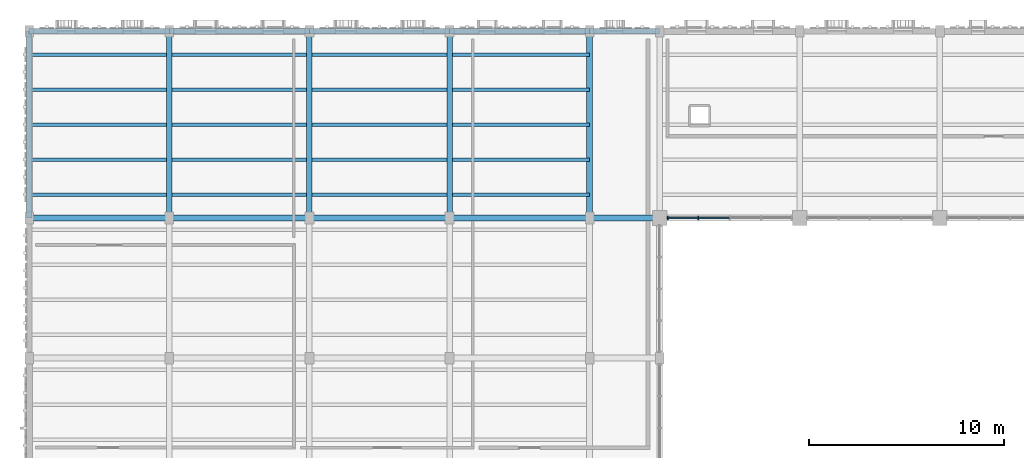
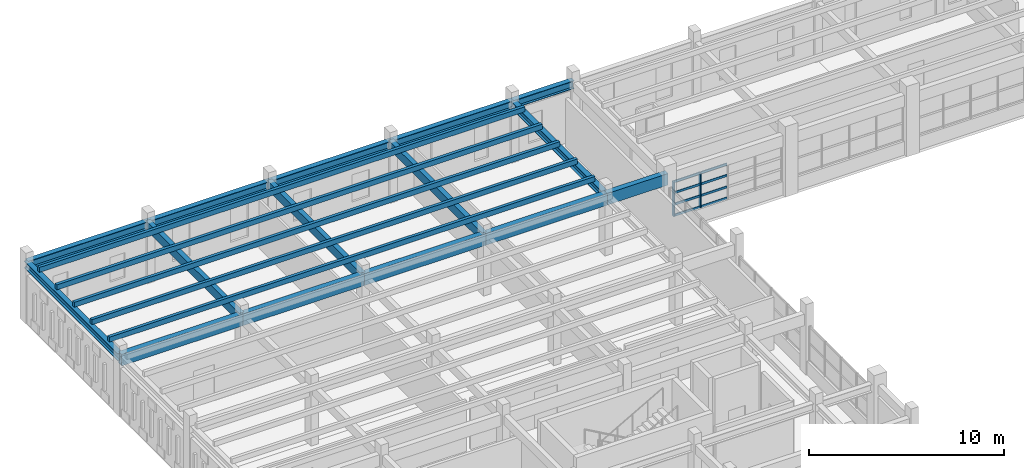
# One storey, part 16 of 69: 15 beams, 15 members, 1 element without a shape of its own.
"""IFC4 building model written with IfcOpenShell, lengths in metres."""

import ifcopenshell
import ifcopenshell.guid

model = None  # the IFC model being written
_history = None  # IfcOwnerHistory: only IFC2X3 demands one
_inside = {}  # id of a spatial element -> (the spatial element, [elements in it])
_under = {}  # id of a project, library or spatial element -> (it, [spatial elements below it])
_declared = {}  # id of a project -> (the project, [libraries it declares])
_typed = {}  # id of a type object -> (the type object, [elements of that type])
_made_of = {}  # id of a material, layer set ... -> (it, [elements and type objects made of it])


def new_model(schema):
    """Start an empty IFC model of exactly this schema.

    Asked for "IFC4X3", IfcOpenShell would pick the latest addendum, in which some entities
    have other attributes; the version numbers below select the first issue.
    IFC2X3 requires an IfcOwnerHistory on every rooted entity: one is made here for all.
    """
    global model, _history
    if schema == "IFC4X3":
        model = ifcopenshell.file(schema_version=(4, 3, 0, 0))
    else:
        model = ifcopenshell.file(schema=schema)
    _inside.clear()
    _under.clear()
    _declared.clear()
    _typed.clear()
    _made_of.clear()
    _history = None
    if model.schema == "IFC2X3":
        org = make("IfcOrganization", Name="unknown")
        user = make(
            "IfcPersonAndOrganization",
            ThePerson=make("IfcPerson", FamilyName="unknown"),
            TheOrganization=org,
        )
        app = make(
            "IfcApplication",
            ApplicationDeveloper=org,
            Version="unknown",
            ApplicationFullName="unknown",
            ApplicationIdentifier="unknown",
        )
        _history = make(
            "IfcOwnerHistory",
            OwningUser=user,
            OwningApplication=app,
            ChangeAction="ADDED",
            CreationDate=0,
        )
    return model


def make(cls, **values):
    """One entity of the class cls with the attributes given. An attribute that is None is left unset."""
    return model.create_entity(
        cls, **{name: value for name, value in values.items() if value is not None}
    )


def rooted(cls, **values):
    """An entity with a GlobalId (a new one), such as an element, a storey or a relation."""
    return make(cls, GlobalId=ifcopenshell.guid.new(), OwnerHistory=_history, **values)


def si_unit(unit_type, name, prefix=None):
    """IfcSIUnit, for example si_unit("LENGTHUNIT", "METRE", prefix="MILLI")."""
    return make("IfcSIUnit", UnitType=unit_type, Prefix=prefix, Name=name)


def assignment(units):
    """IfcUnitAssignment: the units of a project."""
    return None if units is None else make("IfcUnitAssignment", Units=units)


def point(xyz):
    """IfcCartesianPoint."""
    return None if xyz is None else make("IfcCartesianPoint", Coordinates=xyz)


def direction(xyz):
    """IfcDirection."""
    return None if xyz is None else make("IfcDirection", DirectionRatios=xyz)


def frame(location, z_axis=None, x_axis=None):
    """IfcAxis2Placement3D, a coordinate frame: its origin and axes. An axis left out is left unset."""
    return make(
        "IfcAxis2Placement3D",
        Location=point(location),
        Axis=direction(z_axis),
        RefDirection=direction(x_axis),
    )


def frame_2d(location, x_axis=None):
    """IfcAxis2Placement2D, a coordinate frame in the plane: its origin and x axis."""
    return make(
        "IfcAxis2Placement2D", Location=point(location), RefDirection=direction(x_axis)
    )


def origin():
    """The frame at (0, 0, 0) with its axes left unset."""
    return frame((0.0, 0.0, 0.0))


def origin_2d():
    """The frame at (0, 0) in the plane with its x axis left unset."""
    return frame_2d((0.0, 0.0))


def place(relative_to, where):
    """IfcLocalPlacement: puts the frame where relative to a parent placement (None: the world)."""
    return make(
        "IfcLocalPlacement", PlacementRelTo=relative_to, RelativePlacement=where
    )


def context(
    kind, dimensions, precision=None, world=None, true_north=None, identifier=None
):
    """IfcGeometricRepresentationContext, for example the 3D "Model" context."""
    return make(
        "IfcGeometricRepresentationContext",
        ContextIdentifier=identifier,
        ContextType=kind,
        CoordinateSpaceDimension=dimensions,
        Precision=precision,
        WorldCoordinateSystem=world,
        TrueNorth=true_north,
    )


def subcontext(parent, identifier, kind, view, scale=None):
    """IfcGeometricRepresentationSubContext, for example "Body" below "Model"."""
    return make(
        "IfcGeometricRepresentationSubContext",
        ContextIdentifier=identifier,
        ContextType=kind,
        ParentContext=parent,
        TargetScale=scale,
        TargetView=view,
    )


def project(units=None, contexts=None):
    """IfcProject with its units and contexts."""
    return rooted(
        "IfcProject",
        Name="project",
        RepresentationContexts=contexts,
        UnitsInContext=assignment(units),
    )


def spatial(cls, under=None, at=None, **own):
    """A site, building, storey or space (cls), placed at a placement, below another one or the project."""
    s = rooted(cls, ObjectPlacement=at, **own)
    if under is not None:
        _under.setdefault(under.id(), (under, []))[1].append(s)
    return s


def profile(cls, at=None, kind="AREA", **sizes):
    """A parametric profile (cls). Its sizes go by their IFC names, for example OverallWidth=200.0."""
    return make(cls, ProfileType=kind, Position=at, **sizes)


def rectangle(**sizes):
    """IfcRectangleProfileDef."""
    return profile("IfcRectangleProfileDef", **sizes)


def i_section(**sizes):
    """IfcIShapeProfileDef."""
    return profile("IfcIShapeProfileDef", **sizes)


def extrude(swept, where, along, depth):
    """IfcExtrudedAreaSolid: the profile swept, set in the frame where, extruded along a direction by depth."""
    return make(
        "IfcExtrudedAreaSolid",
        SweptArea=swept,
        Position=where,
        ExtrudedDirection=direction(along),
        Depth=depth,
    )


def shape(context_of_items, identifier, shape_type, items):
    """IfcShapeRepresentation: the items that make up one representation, for example the "Body"."""
    return make(
        "IfcShapeRepresentation",
        ContextOfItems=context_of_items,
        RepresentationIdentifier=identifier,
        RepresentationType=shape_type,
        Items=items,
    )


def material(Name=None, Category=None):
    """IfcMaterial."""
    return make("IfcMaterial", Name=Name, Category=Category)


def material_profile(
    of_material, cross_section, Name=None, Category=None, Priority=None
):
    """IfcMaterialProfile: a cross section and its material."""
    return make(
        "IfcMaterialProfile",
        Name=Name,
        Material=of_material,
        Profile=cross_section,
        Priority=Priority,
        Category=Category,
    )


def profile_set(profiles, Name=None, composite=None):
    """IfcMaterialProfileSet."""
    return make(
        "IfcMaterialProfileSet",
        Name=Name,
        MaterialProfiles=profiles,
        CompositeProfile=composite,
    )


def made_of(thing, what):
    """Note that an element or type object is made of a material, layer set ...; save() writes the relation."""
    if what is not None:
        _made_of.setdefault(what.id(), (what, []))[1].append(thing)
    return thing


def type_object(cls, material=None, **own):
    """A type object (cls), such as IfcWallType, which elements share."""
    return made_of(rooted(cls, **own), material)


def element(
    cls,
    number,
    at=None,
    inside=None,
    cuts=None,
    type_object=None,
    material=None,
    context=None,
    identifier="Body",
    shape_type=None,
    held_by="IfcProductDefinitionShape",
    body=None,
    shapes=None,
    **own,
):
    """One element of the class cls, such as IfcWall. Its Tag is "e" and its number.

    at: its placement. inside: the storey or other place that contains it. cuts: it is an
    opening in that element (IfcRelVoidsElement). A single representation is given by context,
    identifier, shape_type and body (its items); several are given by shapes. held_by: the class
    of the entity that holds the representations. save() writes the other relations.
    """
    e = rooted(cls, Tag="e%d" % number, ObjectPlacement=at, **own)
    if body is not None:
        shapes = [shape(context, identifier, shape_type, body)]
    if shapes is not None:
        e.Representation = make(held_by, Representations=shapes)
    if inside is not None:
        _inside.setdefault(inside.id(), (inside, []))[1].append(e)
    if cuts is not None:
        rooted(
            "IfcRelVoidsElement", RelatingBuildingElement=cuts, RelatedOpeningElement=e
        )
    if type_object is not None:
        _typed.setdefault(type_object.id(), (type_object, []))[1].append(e)
    return made_of(e, material)


def aggregate(whole, parts):
    """IfcRelAggregates: a whole, such as a stair, and the parts it consists of."""
    return rooted("IfcRelAggregates", RelatingObject=whole, RelatedObjects=parts)


def save(model, path):
    """Write the relations noted so far, then the file.

    IfcRelAggregates (storeys below a building ...), IfcRelContainedInSpatialStructure (elements
    in a storey), IfcRelDefinesByType, IfcRelAssociatesMaterial and IfcRelDeclares: one each for
    every whole, place, type object, material and project.
    """
    for whole, parts in _under.values():
        aggregate(whole, parts)
    for where, things in _inside.values():
        rooted(
            "IfcRelContainedInSpatialStructure",
            RelatedElements=things,
            RelatingStructure=where,
        )
    for kind, things in _typed.values():
        rooted("IfcRelDefinesByType", RelatedObjects=things, RelatingType=kind)
    for what, things in _made_of.values():
        rooted("IfcRelAssociatesMaterial", RelatedObjects=things, RelatingMaterial=what)
    for by, libraries in _declared.values():
        rooted("IfcRelDeclares", RelatingContext=by, RelatedDefinitions=libraries)
    model.write(path)


model = new_model("IFC4")

# Units and contexts
model_context = context("Model", 3, precision=1e-05, world=origin(), true_north=direction((0.0, 1.0)))
body_context = subcontext(model_context, "Body", "Model", "MODEL_VIEW")
ifc_project = project(units=[si_unit("LENGTHUNIT", "METRE"), si_unit("AREAUNIT", "SQUARE_METRE"), si_unit("VOLUMEUNIT", "CUBIC_METRE"), si_unit("PLANEANGLEUNIT", "RADIAN"), si_unit("MASSUNIT", "GRAM", prefix="KILO")], contexts=[model_context])

# Site, building, storey
site_placement = place(None, origin())
site = spatial("IfcSite", under=ifc_project, at=site_placement, CompositionType="ELEMENT")
building_placement = place(site_placement, origin())
building = spatial("IfcBuilding", under=site, at=building_placement, Name="Nzembalo Square Collegiate School", CompositionType="ELEMENT")
storey_placement = place(building_placement, frame((0.0, 0.0, 5.10009765625)))
storey = spatial("IfcBuildingStorey", under=building, at=storey_placement, Name="L01", CompositionType="ELEMENT", Elevation=5.10009765625)

# Beams
ifc_material_1 = material(Name="Glulam GL32h", Category="wood")
ifc_material_profile_1 = material_profile(ifc_material_1, rectangle(XDim=0.320068359375, YDim=0.719970703125, at=origin_2d()), Name="GL32h 320x720")
ifc_profile_set_1 = profile_set([ifc_material_profile_1], Name="Glulam GL32h")
beam_type_1 = type_object("IfcBeamType", Name="B03", PredefinedType="BEAM", material=ifc_profile_set_1)
beam_1_placement = place(storey_placement, frame((8.39990234375, 104.39990234375, 3.389892578125), z_axis=(1.0, 0.0, 0.0), x_axis=(0.0, 1.0, 0.0)))
element("IfcBeam", 1, at=beam_1_placement, inside=storey, type_object=beam_type_1, Name="Beam B03 L01", PredefinedType="BEAM", context=body_context, shape_type="SweptSolid", body=[
    extrude(rectangle(XDim=0.320068359375, YDim=0.719970703125, at=origin_2d()), origin(), (0.0, 0.0, 1.0), 7.2001953125),
])
for number, where, z_axis, x_axis, name in (
    (2, (15.60009765625, 104.39990234375, 3.389892578125), (1.0, 0.0, 0.0), (0.0, 1.0, 0.0), "Beam B03 L01"),
    (3, (22.800048828125, 104.39990234375, 3.389892578125), (1.0, 0.0, 0.0), (0.0, 1.0, 0.0), "Beam B03 L01"),
    (4, (30.0, 104.39990234375, 3.389892578125), (1.0, 0.0, 0.0), (0.0, 1.0, 0.0), "Beam B03 L01"),
):
    element("IfcBeam", number, at=place(storey_placement, frame(where, z_axis=z_axis, x_axis=x_axis)), inside=storey, type_object=beam_type_1, Name=name, PredefinedType="BEAM", context=body_context, shape_type="SweptSolid", body=[
        extrude(rectangle(XDim=0.320068359375, YDim=0.719970703125, at=origin_2d()), origin(), (0.0, 0.0, 1.0), 7.199951171875),
    ])
beam_2_placement = place(storey_placement, frame((37.199951171875, 104.39990234375, 3.389892578125), z_axis=(1.0, 0.0, 0.0), x_axis=(0.0, 1.0, 0.0)))
element("IfcBeam", 5, at=beam_2_placement, inside=storey, type_object=beam_type_1, Name="Beam B03 L01", PredefinedType="BEAM", context=body_context, shape_type="SweptSolid", body=[
    extrude(rectangle(XDim=0.320068359375, YDim=0.719970703125, at=origin_2d()), origin(), (0.0, 0.0, 1.0), 3.60009765625),
])
ifc_material_2 = material(Name="Glulam GL28h", Category="wood")
ifc_material_profile_2 = material_profile(ifc_material_2, rectangle(XDim=0.280029296875, YDim=0.56005859375, at=origin_2d()), Name="GL28h 280x560")
ifc_profile_set_2 = profile_set([ifc_material_profile_2], Name="Glulam GL28h")
beam_type_2 = type_object("IfcBeamType", Name="B05", PredefinedType="BEAM", material=ifc_profile_set_2)
for number, where, z_axis, x_axis, name in (
    (6, (15.60009765625, 104.39990234375, 3.469970703125), (0.0, 1.0, 0.0), (-1.0, 0.0, 0.0), "Beam B05 L01"),
    (7, (22.800048828125, 104.39990234375, 3.469970703125), (0.0, 1.0, 0.0), (-1.0, 0.0, 0.0), "Beam B05 L01"),
    (8, (30.0, 104.39990234375, 3.469970703125), (0.0, 1.0, 0.0), (-1.0, 0.0, 0.0), "Beam B05 L01"),
):
    element("IfcBeam", number, at=place(storey_placement, frame(where, z_axis=z_axis, x_axis=x_axis)), inside=storey, type_object=beam_type_2, Name=name, PredefinedType="BEAM", context=body_context, shape_type="SweptSolid", body=[
        extrude(rectangle(XDim=0.280029296875, YDim=0.56005859375, at=origin_2d()), origin(), (0.0, 0.0, 1.0), 9.60009765625),
    ])
ifc_material_3 = material(Name="Steel S355", Category="steel")
ifc_material_profile_3 = material_profile(ifc_material_3, i_section(OverallWidth=0.300048828125, OverallDepth=0.5, WebThickness=0.014404296875, FlangeThickness=0.028076171875, at=origin_2d()), Name="HEB 500")
ifc_profile_set_3 = profile_set([ifc_material_profile_3], Name="Steel S355")
beam_type_3 = type_object("IfcBeamType", Name="B07", PredefinedType="BEAM", material=ifc_profile_set_3)
beam_3_placement = place(storey_placement, frame((8.39990234375, 114.0, 3.5), z_axis=(1.0, 0.0, 0.0), x_axis=(0.0, 1.0, 0.0)))
element("IfcBeam", 9, at=beam_3_placement, inside=storey, type_object=beam_type_3, Name="Beam B07 L01", PredefinedType="BEAM", context=body_context, shape_type="SweptSolid", body=[
    extrude(i_section(OverallWidth=0.300048828125, OverallDepth=0.5, WebThickness=0.014404296875, FlangeThickness=0.028076171875, at=origin_2d()), origin(), (0.0, 0.0, 1.0), 7.2001953125),
])
for number, where, z_axis, x_axis, name in (
    (10, (15.60009765625, 114.0, 3.5), (1.0, 0.0, 0.0), (0.0, 1.0, 0.0), "Beam B07 L01"),
    (11, (22.800048828125, 114.0, 3.5), (1.0, 0.0, 0.0), (0.0, 1.0, 0.0), "Beam B07 L01"),
    (12, (30.0, 114.0, 3.5), (1.0, 0.0, 0.0), (0.0, 1.0, 0.0), "Beam B07 L01"),
):
    element("IfcBeam", number, at=place(storey_placement, frame(where, z_axis=z_axis, x_axis=x_axis)), inside=storey, type_object=beam_type_3, Name=name, PredefinedType="BEAM", context=body_context, shape_type="SweptSolid", body=[
        extrude(i_section(OverallWidth=0.300048828125, OverallDepth=0.5, WebThickness=0.014404296875, FlangeThickness=0.028076171875, at=origin_2d()), origin(), (0.0, 0.0, 1.0), 7.199951171875),
    ])
beam_4_placement = place(storey_placement, frame((37.199951171875, 114.0, 3.5), z_axis=(1.0, 0.0, 0.0), x_axis=(0.0, 1.0, 0.0)))
element("IfcBeam", 13, at=beam_4_placement, inside=storey, type_object=beam_type_3, Name="Beam B07 L01", PredefinedType="BEAM", context=body_context, shape_type="SweptSolid", body=[
    extrude(i_section(OverallWidth=0.300048828125, OverallDepth=0.5, WebThickness=0.014404296875, FlangeThickness=0.028076171875, at=origin_2d()), origin(), (0.0, 0.0, 1.0), 3.60009765625),
])
ifc_material_4 = material(Name="Steel S355", Category="steel")
ifc_material_profile_4 = material_profile(ifc_material_4, i_section(OverallWidth=0.300048828125, OverallDepth=0.449951171875, WebThickness=0.013916015625, FlangeThickness=0.02587890625, at=origin_2d()), Name="HEB 450")
ifc_profile_set_4 = profile_set([ifc_material_profile_4], Name="Steel S355")
beam_type_4 = type_object("IfcBeamType", Name="B08", PredefinedType="BEAM", material=ifc_profile_set_4)
for number, where, z_axis, x_axis, name in (
    (14, (8.39990234375, 104.39990234375, 3.52490234375), (0.0, 1.0, 0.0), (-1.0, 0.0, 0.0), "Beam B08 L01"),
    (15, (37.199951171875, 104.39990234375, 3.52490234375), (0.0, 1.0, 0.0), (-1.0, 0.0, 0.0), "Beam B08 L01"),
):
    element("IfcBeam", number, at=place(storey_placement, frame(where, z_axis=z_axis, x_axis=x_axis)), inside=storey, type_object=beam_type_4, Name=name, PredefinedType="BEAM", context=body_context, shape_type="SweptSolid", body=[
        extrude(i_section(OverallWidth=0.300048828125, OverallDepth=0.449951171875, WebThickness=0.013916015625, FlangeThickness=0.02587890625, at=origin_2d()), origin(), (0.0, 0.0, 1.0), 9.60009765625),
    ])

# Curtain wall, members
ifc_material_5 = material(Name="Aluminium 6060-T66", Category="aluminium")
curtain_wall_type = type_object("IfcCurtainWallType", Name="CW-06", PredefinedType="USERDEFINED", material=ifc_material_5)
curtain_wall_placement = place(storey_placement, origin())
curtain_wall = element("IfcCurtainWall", 16, at=curtain_wall_placement, inside=storey, type_object=curtain_wall_type, Name="Curtain wall CW-06 cw:L01:085", ObjectType="LANCET", PredefinedType="USERDEFINED")
ifc_material_6 = material(Name="Aluminium 6060-T66", Category="aluminium")
ifc_material_profile_5 = material_profile(ifc_material_6, rectangle(XDim=0.06005859375, YDim=0.179931640625, at=origin_2d()), Name="ALU M60x180")
ifc_profile_set_5 = profile_set([ifc_material_profile_5], Name="Aluminium 6060-T66")
member_type_1 = type_object("IfcMemberType", Name="ML01", PredefinedType="MULLION", material=ifc_profile_set_5)
member_1_placement = place(storey_placement, frame((41.20703125, 104.39990234375, 0.849853515625), z_axis=(0.0, 0.0, 1.0), x_axis=(1.0, 0.0, 0.0)))
member_1 = element("IfcMember", 17, at=member_1_placement, type_object=member_type_1, Name="ML01 mullion 1", PredefinedType="MULLION", context=body_context, shape_type="SweptSolid", body=[
    extrude(rectangle(XDim=0.06005859375, YDim=0.179931640625, at=origin_2d()), origin(), (0.0, 0.0, 1.0), 2.174072265625),
])
member_2_placement = place(storey_placement, frame((42.78857421875, 104.39990234375, 0.849853515625), z_axis=(0.0, 0.0, 1.0), x_axis=(1.0, 0.0, 0.0)))
member_2 = element("IfcMember", 18, at=member_2_placement, type_object=member_type_1, Name="ML01 mullion 2", PredefinedType="MULLION", context=body_context, shape_type="SweptSolid", body=[
    extrude(rectangle(XDim=0.06005859375, YDim=0.179931640625, at=origin_2d()), origin(), (0.0, 0.0, 1.0), 2.174072265625),
])
ifc_material_7 = material(Name="Aluminium 6060-T66", Category="aluminium")
ifc_material_profile_6 = material_profile(ifc_material_7, rectangle(XDim=0.06005859375, YDim=0.139892578125, at=origin_2d()), Name="ALU T60x140")
ifc_profile_set_6 = profile_set([ifc_material_profile_6], Name="Aluminium 6060-T66")
member_type_2 = type_object("IfcMemberType", Name="TR01", PredefinedType="USERDEFINED", material=ifc_profile_set_6)
member_3_placement = place(storey_placement, frame((41.237060546875, 104.39990234375, 0.8798828125), z_axis=(1.0, 0.0, 0.0), x_axis=(0.0, 1.0, 0.0)))
member_3 = element("IfcMember", 19, at=member_3_placement, type_object=member_type_2, Name="TR01 transom 1-1", ObjectType="TRANSOM", PredefinedType="USERDEFINED", context=body_context, shape_type="SweptSolid", body=[
    extrude(rectangle(XDim=0.06005859375, YDim=0.139892578125, at=origin_2d()), origin(), (0.0, 0.0, 1.0), 1.521484375),
])
member_4_placement = place(storey_placement, frame((42.818603515625, 104.39990234375, 0.8798828125), z_axis=(1.0, 0.0, 0.0), x_axis=(0.0, 1.0, 0.0)))
member_4 = element("IfcMember", 20, at=member_4_placement, type_object=member_type_2, Name="TR01 transom 1-2", ObjectType="TRANSOM", PredefinedType="USERDEFINED", context=body_context, shape_type="SweptSolid", body=[
    extrude(rectangle(XDim=0.06005859375, YDim=0.139892578125, at=origin_2d()), origin(), (0.0, 0.0, 1.0), 1.551513671875),
])
member_5_placement = place(storey_placement, frame((41.237060546875, 104.39990234375, 1.574462890625), z_axis=(1.0, 0.0, 0.0), x_axis=(0.0, 1.0, 0.0)))
member_5 = element("IfcMember", 21, at=member_5_placement, type_object=member_type_2, Name="TR01 transom 2-1", ObjectType="TRANSOM", PredefinedType="USERDEFINED", context=body_context, shape_type="SweptSolid", body=[
    extrude(rectangle(XDim=0.06005859375, YDim=0.139892578125, at=origin_2d()), origin(), (0.0, 0.0, 1.0), 1.521484375),
])
member_6_placement = place(storey_placement, frame((42.818603515625, 104.39990234375, 1.574462890625), z_axis=(1.0, 0.0, 0.0), x_axis=(0.0, 1.0, 0.0)))
member_6 = element("IfcMember", 22, at=member_6_placement, type_object=member_type_2, Name="TR01 transom 2-2", ObjectType="TRANSOM", PredefinedType="USERDEFINED", context=body_context, shape_type="SweptSolid", body=[
    extrude(rectangle(XDim=0.06005859375, YDim=0.139892578125, at=origin_2d()), origin(), (0.0, 0.0, 1.0), 1.551513671875),
])
member_7_placement = place(storey_placement, frame((41.237060546875, 104.39990234375, 2.29931640625), z_axis=(1.0, 0.0, 0.0), x_axis=(0.0, 1.0, 0.0)))
member_7 = element("IfcMember", 23, at=member_7_placement, type_object=member_type_2, Name="TR01 transom 3-1", ObjectType="TRANSOM", PredefinedType="USERDEFINED", context=body_context, shape_type="SweptSolid", body=[
    extrude(rectangle(XDim=0.06005859375, YDim=0.139892578125, at=origin_2d()), origin(), (0.0, 0.0, 1.0), 1.521484375),
])
member_8_placement = place(storey_placement, frame((42.818603515625, 104.39990234375, 2.29931640625), z_axis=(1.0, 0.0, 0.0), x_axis=(0.0, 1.0, 0.0)))
member_8 = element("IfcMember", 24, at=member_8_placement, type_object=member_type_2, Name="TR01 transom 3-2", ObjectType="TRANSOM", PredefinedType="USERDEFINED", context=body_context, shape_type="SweptSolid", body=[
    extrude(rectangle(XDim=0.06005859375, YDim=0.139892578125, at=origin_2d()), origin(), (0.0, 0.0, 1.0), 1.551513671875),
])
member_9_placement = place(storey_placement, frame((41.237060546875, 104.39990234375, 2.993896484375), z_axis=(1.0, 0.0, 0.0), x_axis=(0.0, 1.0, 0.0)))
member_9 = element("IfcMember", 25, at=member_9_placement, type_object=member_type_2, Name="TR01 transom 4-1", ObjectType="TRANSOM", PredefinedType="USERDEFINED", context=body_context, shape_type="SweptSolid", body=[
    extrude(rectangle(XDim=0.06005859375, YDim=0.139892578125, at=origin_2d()), origin(), (0.0, 0.0, 1.0), 1.521484375),
])
member_10_placement = place(storey_placement, frame((42.818603515625, 104.39990234375, 2.993896484375), z_axis=(1.0, 0.0, 0.0), x_axis=(0.0, 1.0, 0.0)))
member_10 = element("IfcMember", 26, at=member_10_placement, type_object=member_type_2, Name="TR01 transom 4-2", ObjectType="TRANSOM", PredefinedType="USERDEFINED", context=body_context, shape_type="SweptSolid", body=[
    extrude(rectangle(XDim=0.06005859375, YDim=0.139892578125, at=origin_2d()), origin(), (0.0, 0.0, 1.0), 1.551513671875),
])
aggregate(curtain_wall, [member_1, member_2, member_3, member_4, member_5, member_6, member_7, member_8, member_9, member_10])

# Members
ifc_material_8 = material(Name="Glulam GL28h", Category="wood")
ifc_material_profile_7 = material_profile(ifc_material_8, rectangle(XDim=0.179931640625, YDim=0.320068359375, at=origin_2d()), Name="GL28h 180x320")
ifc_profile_set_7 = profile_set([ifc_material_profile_7], Name="Glulam GL28h")
member_type_3 = type_object("IfcMemberType", Name="PR01", PredefinedType="PURLIN", material=ifc_profile_set_7)
for number, where, z_axis, x_axis, name in (
    (27, (8.39990234375, 105.60009765625, 3.89990234375), (1.0, 0.0, 0.0), (0.0, 1.0, 0.0), "Planted roof purlin PR01-NW-09"),
    (28, (8.39990234375, 107.39990234375, 3.89990234375), (1.0, 0.0, 0.0), (0.0, 1.0, 0.0), "Planted roof purlin PR01-NW-10"),
    (29, (8.39990234375, 109.199951171875, 3.89990234375), (1.0, 0.0, 0.0), (0.0, 1.0, 0.0), "Planted roof purlin PR01-NW-11"),
    (30, (8.39990234375, 111.0, 3.89990234375), (1.0, 0.0, 0.0), (0.0, 1.0, 0.0), "Planted roof purlin PR01-NW-12"),
    (31, (8.39990234375, 112.800048828125, 3.89990234375), (1.0, 0.0, 0.0), (0.0, 1.0, 0.0), "Planted roof purlin PR01-NW-13"),
):
    element("IfcMember", number, at=place(storey_placement, frame(where, z_axis=z_axis, x_axis=x_axis)), inside=storey, type_object=member_type_3, Name=name, PredefinedType="PURLIN", context=body_context, shape_type="SweptSolid", body=[
        extrude(rectangle(XDim=0.179931640625, YDim=0.320068359375, at=origin_2d()), origin(), (0.0, 0.0, 1.0), 28.800048828125),
    ])

save(model, "model.ifc")
